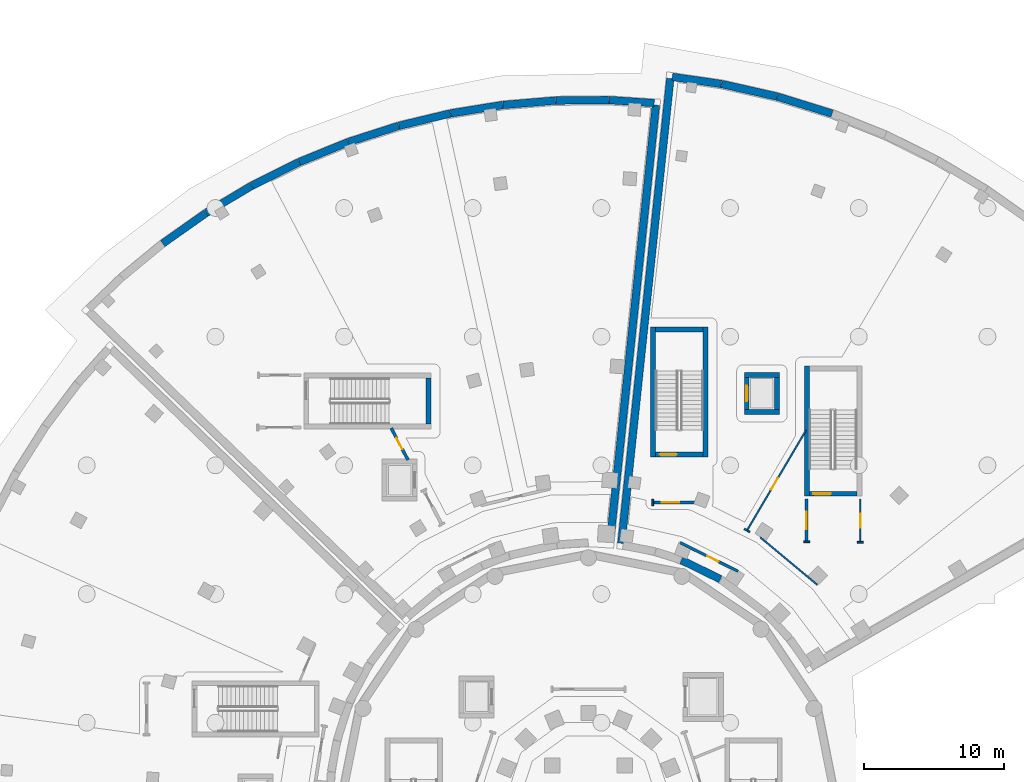
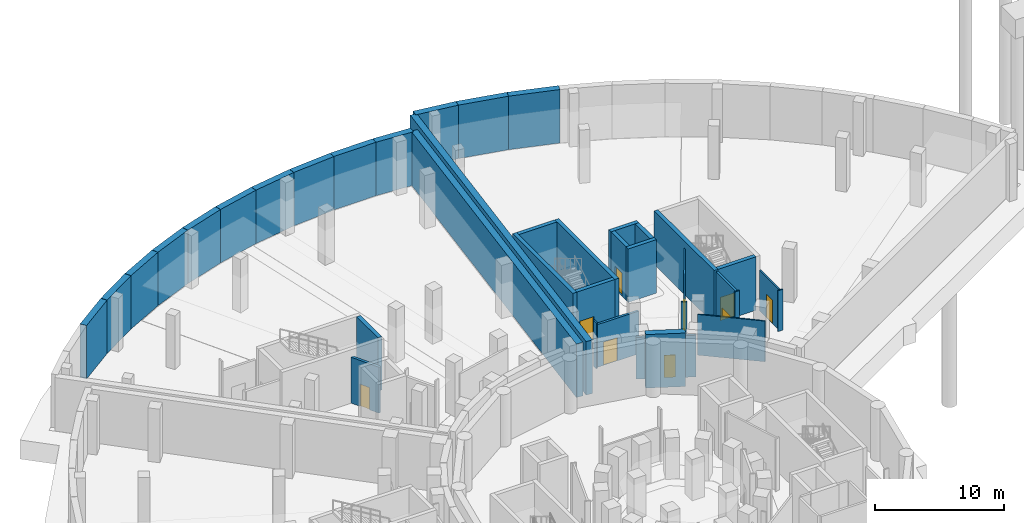
# One storey, part 14 of 33: 38 walls, 9 doors, 9 openings.
"""IFC4 building model written with IfcOpenShell, lengths in metres."""

from ifc_helpers import new_model, si_unit, direction, frame, frame_2d, origin, place, context, subcontext, project, spatial, rectangle, extrude, material, layer, layer_set, type_object, element, fill, save


model = new_model("IFC4")

# Units and contexts
model_context = context("Model", 3, precision=1e-05, world=origin(), true_north=direction((0.0, 1.0)))
body_context = subcontext(model_context, "Body", "Model", "MODEL_VIEW")
ifc_project = project(units=[si_unit("LENGTHUNIT", "METRE"), si_unit("AREAUNIT", "SQUARE_METRE"), si_unit("VOLUMEUNIT", "CUBIC_METRE"), si_unit("PLANEANGLEUNIT", "RADIAN"), si_unit("MASSUNIT", "GRAM", prefix="KILO")], contexts=[model_context])

# Site, building, storey
site_placement = place(None, origin())
site = spatial("IfcSite", under=ifc_project, at=site_placement, CompositionType="ELEMENT")
building_placement = place(site_placement, origin())
building = spatial("IfcBuilding", under=site, at=building_placement, Name="Soyqirgoq Riverine Aquarium", CompositionType="ELEMENT")
storey_placement = place(building_placement, frame((0.0, 0.0, -5.39990234375)))
storey = spatial("IfcBuildingStorey", under=building, at=storey_placement, Name="B01", CompositionType="ELEMENT", Elevation=-5.39990234375)

# Walls
ifc_material_1 = material(Name="Concrete C40/50", Category="concrete")
ifc_layer_1 = layer(ifc_material_1, 0.35009765625)
ifc_layer_set_1 = layer_set([ifc_layer_1], Name="Concrete C40/50")
wall_type_1 = type_object("IfcWallType", Name="CoreShearWall_350_C40", PredefinedType="SHEAR", material=ifc_layer_set_1)
wall_1_placement = place(storey_placement, frame((44.574951171875, 84.0, 0.0), z_axis=(0.0, 0.0, 1.0), x_axis=(0.0, 1.0, 0.0)))
element("IfcWall", 1, at=wall_1_placement, inside=storey, type_object=wall_type_1, Name="CORE-4 B01 Stair Core Shear Wall BACK", PredefinedType="SHEAR", context=body_context, shape_type="SweptSolid", body=[
    extrude(rectangle(XDim=3.300048828125, YDim=0.35009765625, at=frame_2d((1.64990234375, 0.0))), origin(), (0.0, 0.0, 1.0), 5.0498046875),
])
wall_2_placement = place(storey_placement, frame((64.375, 81.64990234375, 0.0), z_axis=(0.0, 0.0, 1.0), x_axis=(0.0, 1.0, 0.0)))
element("IfcWall", 2, at=wall_2_placement, inside=storey, type_object=wall_type_1, Name="CORE-5A B01 Stair Core Shear Wall SIDE1", PredefinedType="SHEAR", context=body_context, shape_type="SweptSolid", body=[
    extrude(rectangle(XDim=9.300048828125, YDim=0.35009765625, at=frame_2d((4.64990234375, 0.0))), origin(), (0.0, 0.0, 1.0), 5.0498046875),
])
wall_3_placement = place(storey_placement, frame((64.199951171875, 90.77490234375, 0.0), z_axis=(0.0, 0.0, 1.0), x_axis=(-1.0, 0.0, 0.0)))
element("IfcWall", 3, at=wall_3_placement, inside=storey, type_object=wall_type_1, Name="CORE-5A B01 Stair Core Shear Wall BACK", PredefinedType="SHEAR", context=body_context, shape_type="SweptSolid", body=[
    extrude(rectangle(XDim=3.39990234375, YDim=0.35009765625, at=frame_2d((1.699951171875, 0.0))), origin(), (0.0, 0.0, 1.0), 5.0498046875),
])
wall_4_placement = place(storey_placement, frame((60.625, 90.949951171875, 0.0), z_axis=(0.0, 0.0, 1.0), x_axis=(0.0, -1.0, 0.0)))
element("IfcWall", 4, at=wall_4_placement, inside=storey, type_object=wall_type_1, Name="CORE-5A B01 Stair Core Shear Wall SIDE2", PredefinedType="SHEAR", context=body_context, shape_type="SweptSolid", body=[
    extrude(rectangle(XDim=9.300048828125, YDim=0.35009765625, at=frame_2d((4.64990234375, 0.0))), origin(), (0.0, 0.0, 1.0), 5.0498046875),
])

# Wall, opening, door
wall_5_placement = place(storey_placement, frame((60.800048828125, 81.824951171875, 0.0), z_axis=(0.0, 0.0, 1.0), x_axis=(1.0, 0.0, 0.0)))
wall_5 = element("IfcWall", 5, at=wall_5_placement, inside=storey, type_object=wall_type_1, Name="CORE-5A B01 Stair Core Shear Wall FRONT", PredefinedType="SHEAR", context=body_context, shape_type="SweptSolid", body=[
    extrude(rectangle(XDim=3.39990234375, YDim=0.35009765625, at=frame_2d((1.699951171875, 0.0))), origin(), (0.0, 0.0, 1.0), 5.0498046875),
])
opening_1_placement = place(wall_5_placement, frame((0.280029296875, 0.0, 0.0)))
opening_1 = element("IfcOpeningElement", 6, at=opening_1_placement, cuts=wall_5, Name="Opening FD-01", PredefinedType="OPENING", context=body_context, shape_type="SweptSolid", body=[
    extrude(rectangle(XDim=1.25, YDim=2.199951171875, at=frame_2d((0.625, 1.10009765625))), frame((0.0, 0.18505859375, 0.0), z_axis=(0.0, -1.0, 0.0), x_axis=(1.0, 0.0, 0.0)), (0.0, 0.0, 1.0), 0.3701171875),
])
ifc_material_2 = material(Name="Galvanised steel fire-resisting stair door", Category="steel")
door_type_1 = type_object("IfcDoorType", Name="StairFireDoor_1250x2200_EI90", OperationType="NOTDEFINED", PredefinedType="DOOR", material=ifc_material_2)
door_1_placement = place(opening_1_placement, origin())
door_1 = element("IfcDoor", 7, at=door_1_placement, inside=storey, type_object=door_type_1, Name="DR-ST-5-B01 ST-5 B01 Fire-Rated Stairwell Door", OperationType="SINGLE_SWING_LEFT", OverallHeight=2.199951171875, OverallWidth=1.25, PredefinedType="DOOR", context=body_context, shape_type="SweptSolid", body=[
    extrude(rectangle(XDim=1.25, YDim=2.199951171875, at=frame_2d((0.625, 1.10009765625))), frame((0.0, 0.02490234375, 0.0), z_axis=(0.0, -1.0, 0.0), x_axis=(1.0, 0.0, 0.0)), (0.0, 0.0, 1.0), 0.050048828125),
])
fill(opening_1, door_1)

# Walls
wall_6_placement = place(storey_placement, frame((67.14501953125, 84.8701171875, 0.0), z_axis=(0.0, 0.0, 1.0), x_axis=(1.0, 0.0, 0.0)))
element("IfcWall", 8, at=wall_6_placement, inside=storey, type_object=wall_type_1, Name="Lift PL-5 Shaft Wall B01 1", PredefinedType="SHEAR", context=body_context, shape_type="SweptSolid", body=[
    extrude(rectangle(XDim=2.510009765625, YDim=0.35009765625, at=frame_2d((1.2548828125, 0.0))), origin(), (0.0, 0.0, 1.0), 5.0498046875),
])
wall_7_placement = place(storey_placement, frame((69.47998046875, 85.044921875, 0.0), z_axis=(0.0, 0.0, 1.0), x_axis=(0.0, 1.0, 0.0)))
element("IfcWall", 9, at=wall_7_placement, inside=storey, type_object=wall_type_1, Name="Lift PL-5 Shaft Wall B01 2", PredefinedType="SHEAR", context=body_context, shape_type="SweptSolid", body=[
    extrude(rectangle(XDim=2.31005859375, YDim=0.35009765625, at=frame_2d((1.155029296875, 0.0))), origin(), (0.0, 0.0, 1.0), 5.0498046875),
])
wall_8_placement = place(storey_placement, frame((69.655029296875, 87.530029296875, 0.0), z_axis=(0.0, 0.0, 1.0), x_axis=(-1.0, 0.0, 0.0)))
element("IfcWall", 10, at=wall_8_placement, inside=storey, type_object=wall_type_1, Name="Lift PL-5 Shaft Wall B01 3", PredefinedType="SHEAR", context=body_context, shape_type="SweptSolid", body=[
    extrude(rectangle(XDim=2.510009765625, YDim=0.35009765625, at=frame_2d((1.2548828125, 0.0))), origin(), (0.0, 0.0, 1.0), 5.0498046875),
])

# Wall, opening, door
wall_9_placement = place(storey_placement, frame((67.320068359375, 87.35498046875, 0.0), z_axis=(0.0, 0.0, 1.0), x_axis=(0.0, -1.0, 0.0)))
wall_9 = element("IfcWall", 11, at=wall_9_placement, inside=storey, type_object=wall_type_1, Name="Lift PL-5 Shaft Wall B01 4", PredefinedType="SHEAR", context=body_context, shape_type="SweptSolid", body=[
    extrude(rectangle(XDim=2.31005859375, YDim=0.35009765625, at=frame_2d((1.155029296875, 0.0))), origin(), (0.0, 0.0, 1.0), 5.0498046875),
])
opening_2_placement = place(wall_9_placement, frame((0.60498046875, 0.0, 0.0)))
opening_2 = element("IfcOpeningElement", 12, at=opening_2_placement, cuts=wall_9, Name="Opening LD-01", PredefinedType="OPENING", context=body_context, shape_type="SweptSolid", body=[
    extrude(rectangle(XDim=1.10009765625, YDim=2.199951171875, at=frame_2d((0.550048828125, 1.10009765625))), frame((0.0, 0.18505859375, 0.0), z_axis=(0.0, -1.0, 0.0), x_axis=(1.0, 0.0, 0.0)), (0.0, 0.0, 1.0), 0.3701171875),
])
ifc_material_3 = material(Name="Brushed stainless steel telescopic lift landing door", Category="steel")
door_type_2 = type_object("IfcDoorType", Name="LiftLandingDoor_1100x2200", OperationType="SLIDING_TO_LEFT", PredefinedType="DOOR", material=ifc_material_3)
door_2_placement = place(opening_2_placement, origin())
door_2 = element("IfcDoor", 13, at=door_2_placement, inside=storey, type_object=door_type_2, Name="LD-PL-5-B01 Lift PL-5 B01 Sliding Landing Door", OperationType="SLIDING_TO_LEFT", OverallHeight=2.199951171875, OverallWidth=1.10009765625, PredefinedType="DOOR", context=body_context, shape_type="SweptSolid", body=[
    extrude(rectangle(XDim=1.10009765625, YDim=2.199951171875, at=frame_2d((0.550048828125, 1.10009765625))), frame((0.0, 0.02490234375, 0.0), z_axis=(0.0, -1.0, 0.0), x_axis=(1.0, 0.0, 0.0)), (0.0, 0.0, 1.0), 0.050048828125),
])
fill(opening_2, door_2)

# Wall
wall_10_placement = place(storey_placement, frame((71.625, 88.14990234375, 0.0), z_axis=(0.0, 0.0, 1.0), x_axis=(0.0, -1.0, 0.0)))
element("IfcWall", 14, at=wall_10_placement, inside=storey, type_object=wall_type_1, Name="CORE-5B B01 Stair Core Shear Wall SIDE2", PredefinedType="SHEAR", context=body_context, shape_type="SweptSolid", body=[
    extrude(rectangle(XDim=9.2998046875, YDim=0.35009765625, at=frame_2d((4.64990234375, 0.0))), origin(), (0.0, 0.0, 1.0), 5.0498046875),
])

# Wall, opening, door
wall_11_placement = place(storey_placement, frame((71.800048828125, 79.02490234375, 0.0), z_axis=(0.0, 0.0, 1.0), x_axis=(1.0, 0.0, 0.0)))
wall_11 = element("IfcWall", 15, at=wall_11_placement, inside=storey, type_object=wall_type_1, Name="CORE-5B B01 Stair Core Shear Wall FRONT", PredefinedType="SHEAR", context=body_context, shape_type="SweptSolid", body=[
    extrude(rectangle(XDim=3.39990234375, YDim=0.35009765625, at=frame_2d((1.699951171875, 0.0))), origin(), (0.0, 0.0, 1.0), 5.0498046875),
])
opening_3_placement = place(wall_11_placement, frame((0.280029296875, 0.0, 0.0)))
opening_3 = element("IfcOpeningElement", 16, at=opening_3_placement, cuts=wall_11, Name="Opening FD-01", PredefinedType="OPENING", context=body_context, shape_type="SweptSolid", body=[
    extrude(rectangle(XDim=1.25, YDim=2.199951171875, at=frame_2d((0.625, 1.10009765625))), frame((0.0, 0.18505859375, 0.0), z_axis=(0.0, -1.0, 0.0), x_axis=(1.0, 0.0, 0.0)), (0.0, 0.0, 1.0), 0.3701171875),
])
door_3_placement = place(opening_3_placement, origin())
door_3 = element("IfcDoor", 17, at=door_3_placement, inside=storey, type_object=door_type_1, Name="DR-ST-6-B01 ST-6 B01 Fire-Rated Stairwell Door", OperationType="SINGLE_SWING_LEFT", OverallHeight=2.199951171875, OverallWidth=1.25, PredefinedType="DOOR", context=body_context, shape_type="SweptSolid", body=[
    extrude(rectangle(XDim=1.25, YDim=2.199951171875, at=frame_2d((0.625, 1.10009765625))), frame((0.0, 0.02490234375, 0.0), z_axis=(0.0, -1.0, 0.0), x_axis=(1.0, 0.0, 0.0)), (0.0, 0.0, 1.0), 0.050048828125),
])
fill(opening_3, door_3)

# Wall
ifc_material_4 = material(Name="Lightweight steel-stud gypsum partition", Category="steel")
ifc_layer_2 = layer(ifc_material_4, 0.1201171875)
ifc_layer_set_2 = layer_set([ifc_layer_2], Name="Lightweight steel-stud gypsum partition")
wall_type_2 = type_object("IfcWallType", Name="PartitionWall_120_Std", PredefinedType="PARTITIONING", material=ifc_layer_set_2)
wall_12_placement = place(storey_placement, frame((72.357177734375, 72.5224609375, 0.0), z_axis=(0.0, 0.0, 1.0), x_axis=(-0.768847565949, 0.639432107682, 0.0)))
element("IfcWall", 18, at=wall_12_placement, inside=storey, type_object=wall_type_2, Name="V5 Gallery Circulation Corridor Partition Wall", PredefinedType="PARTITIONING", context=body_context, shape_type="SweptSolid", body=[
    extrude(rectangle(XDim=5.301025390625, YDim=0.1201171875, at=frame_2d((2.650390625, 0.0))), origin(), (0.0, 0.0, 1.0), 3.83984375),
])

# Wall, opening, door
wall_13_placement = place(storey_placement, frame((67.34033203125, 76.40966796875, 0.0), z_axis=(0.0, 0.0, 1.0), x_axis=(0.507554651223, 0.861619565714, 0.0)))
wall_13 = element("IfcWall", 19, at=wall_13_placement, inside=storey, type_object=wall_type_2, Name="Backup Power Control Room Partition Wall", PredefinedType="PARTITIONING", context=body_context, shape_type="SweptSolid", body=[
    extrude(rectangle(XDim=8.322021484375, YDim=0.1201171875, at=frame_2d((4.1611328125, 0.0))), origin(), (0.0, 0.0, 1.0), 4.389892578125),
])
opening_4_placement = place(wall_13_placement, frame((3.376708984375, 0.0, 0.0)))
opening_4 = element("IfcOpeningElement", 20, at=opening_4_placement, cuts=wall_13, Name="Opening ID-06", PredefinedType="OPENING", context=body_context, shape_type="SweptSolid", body=[
    extrude(rectangle(XDim=0.949951171875, YDim=2.199951171875, at=frame_2d((0.47509765625, 1.10009765625))), frame((0.0, 0.070068359375, 0.0), z_axis=(0.0, -1.0, 0.0), x_axis=(1.0, 0.0, 0.0)), (0.0, 0.0, 1.0), 0.14013671875),
])
ifc_material_5 = material(Name="Moisture-resistant HPL washroom door", Category="wood")
door_type_3 = type_object("IfcDoorType", Name="WCDoor_950x2200", OperationType="NOTDEFINED", PredefinedType="DOOR", material=ifc_material_5)
door_4_placement = place(opening_4_placement, origin())
door_4 = element("IfcDoor", 21, at=door_4_placement, inside=storey, type_object=door_type_3, Name="IDR-V5-B01-0139 Backup Power Control Room Access Door", OperationType="SINGLE_SWING_RIGHT", OverallHeight=2.199951171875, OverallWidth=0.949951171875, PredefinedType="DOOR", context=body_context, shape_type="SweptSolid", body=[
    extrude(rectangle(XDim=0.949951171875, YDim=2.199951171875, at=frame_2d((0.47509765625, 1.10009765625))), frame((0.0, 0.02490234375, 0.0), z_axis=(0.0, -1.0, 0.0), x_axis=(1.0, 0.0, 0.0)), (0.0, 0.0, 1.0), 0.050048828125),
])
fill(opening_4, door_4)

wall_14_placement = place(storey_placement, frame((75.43994140625, 78.64990234375, 0.0), z_axis=(0.0, 0.0, 1.0), x_axis=(0.0, -1.0, 0.0)))
wall_14 = element("IfcWall", 22, at=wall_14_placement, inside=storey, type_object=wall_type_2, Name="Cryogenic Specimen Vault Partition Wall", PredefinedType="PARTITIONING", context=body_context, shape_type="SweptSolid", body=[
    extrude(rectangle(XDim=3.08984375, YDim=0.1201171875, at=frame_2d((1.544921875, 0.0))), origin(), (0.0, 0.0, 1.0), 3.83984375),
])
opening_5_placement = place(wall_14_placement, frame((1.044921875, 0.0, 0.0)))
opening_5 = element("IfcOpeningElement", 23, at=opening_5_placement, cuts=wall_14, Name="Opening ID-03", PredefinedType="OPENING", context=body_context, shape_type="SweptSolid", body=[
    extrude(rectangle(XDim=1.0, YDim=2.199951171875, at=frame_2d((0.5, 1.10009765625))), frame((0.0, 0.070068359375, 0.0), z_axis=(0.0, -1.0, 0.0), x_axis=(1.0, 0.0, 0.0)), (0.0, 0.0, 1.0), 0.14013671875),
])
ifc_material_6 = material(Name="Solid-core ash veneer room door", Category="wood")
door_type_4 = type_object("IfcDoorType", Name="RoomDoor_1000x2200", OperationType="NOTDEFINED", PredefinedType="DOOR", material=ifc_material_6)
door_5_placement = place(opening_5_placement, origin())
door_5 = element("IfcDoor", 24, at=door_5_placement, inside=storey, type_object=door_type_4, Name="IDR-V5-B01-0138 Cryogenic Specimen Vault Door", OperationType="SINGLE_SWING_LEFT", OverallHeight=2.199951171875, OverallWidth=1.0, PredefinedType="DOOR", context=body_context, shape_type="SweptSolid", body=[
    extrude(rectangle(XDim=1.0, YDim=2.199951171875, at=frame_2d((0.5, 1.10009765625))), frame((0.0, 0.02490234375, 0.0), z_axis=(0.0, -1.0, 0.0), x_axis=(1.0, 0.0, 0.0)), (0.0, 0.0, 1.0), 0.050048828125),
])
fill(opening_5, door_5)

# Walls
wall_15_placement = place(storey_placement, frame((60.60009765625, 78.179931640625, 0.0), z_axis=(0.0, 0.0, 1.0), x_axis=(0.0, 1.0, 0.0)))
element("IfcWall", 25, at=wall_15_placement, inside=storey, type_object=wall_type_2, Name="V5 B01 Jamb Return Pier", PredefinedType="PARTITIONING", context=body_context, shape_type="SweptSolid", body=[
    extrude(rectangle(XDim=0.440185546875, YDim=0.1201171875, at=frame_2d((0.22021484375, 0.0))), origin(), (0.0, 0.0, 1.0), 4.33984375),
])
for number, where, z_axis, x_axis, name in (
    (26, (71.3798828125, 75.60009765625, 0.0), (0.0, 0.0, 1.0), (1.0, 0.0, 0.0), "V5 B01 Jamb Return Pier"),
    (27, (67.52978515625, 76.298095703125, 0.0), (0.0, 0.0, 1.0), (-0.861577457919, 0.507626126205, 0.0), "V5 B01 Jamb Return Pier"),
):
    element("IfcWall", number, at=place(storey_placement, frame(where, z_axis=z_axis, x_axis=x_axis)), inside=storey, type_object=wall_type_2, Name=name, PredefinedType="PARTITIONING", context=body_context, shape_type="SweptSolid", body=[
        extrude(rectangle(XDim=0.440185546875, YDim=0.1201171875, at=frame_2d((0.22021484375, 0.0))), origin(), (0.0, 0.0, 1.0), 5.0498046875),
    ])
wall_16_placement = place(storey_placement, frame((75.219970703125, 75.56005859375, 0.0), z_axis=(0.0, 0.0, 1.0), x_axis=(1.0, 0.0, 0.0)))
element("IfcWall", 28, at=wall_16_placement, inside=storey, type_object=wall_type_2, Name="V5 B01 Jamb Return Pier", PredefinedType="PARTITIONING", context=body_context, shape_type="SweptSolid", body=[
    extrude(rectangle(XDim=0.43994140625, YDim=0.1201171875, at=frame_2d((0.219970703125, 0.0))), origin(), (0.0, 0.0, 1.0), 3.83984375),
])

# Wall, opening, door
ifc_material_7 = material(Name="Fire-rated calcium silicate twin-stud partition", Category="gypsum")
ifc_layer_3 = layer(ifc_material_7, 0.199951171875)
ifc_layer_set_3 = layer_set([ifc_layer_3], Name="Fire-rated calcium silicate twin-stud partition")
wall_type_3 = type_object("IfcWallType", Name="PartitionWall_200_EI90", PredefinedType="PARTITIONING", material=ifc_layer_set_3)
wall_17_placement = place(storey_placement, frame((60.60009765625, 78.39990234375, 0.0), z_axis=(0.0, 0.0, 1.0), x_axis=(1.0, 0.0, 0.0)))
wall_17 = element("IfcWall", 29, at=wall_17_placement, inside=storey, type_object=wall_type_3, Name="Lift and Stair Lobby ST-5 Fire Enclosure Wall", PredefinedType="PARTITIONING", context=body_context, shape_type="SweptSolid", body=[
    extrude(rectangle(XDim=3.7998046875, YDim=0.199951171875, at=frame_2d((1.89990234375, 0.0))), origin(), (0.0, 0.0, 1.0), 4.039794921875),
])
opening_6_placement = place(wall_17_placement, frame((0.637451171875, 0.0, 0.0)))
opening_6 = element("IfcOpeningElement", 30, at=opening_6_placement, cuts=wall_17, Name="Opening FD-01", PredefinedType="OPENING", context=body_context, shape_type="SweptSolid", body=[
    extrude(rectangle(XDim=1.25, YDim=2.199951171875, at=frame_2d((0.625, 1.10009765625))), frame((0.0, 0.10986328125, 0.0), z_axis=(0.0, -1.0, 0.0), x_axis=(1.0, 0.0, 0.0)), (0.0, 0.0, 1.0), 0.219970703125),
])
door_6_placement = place(opening_6_placement, origin())
door_6 = element("IfcDoor", 31, at=door_6_placement, inside=storey, type_object=door_type_1, Name="IDR-V5-B01-0135 Lift and Stair Lobby ST-5 Egress Fire Door", OperationType="SINGLE_SWING_LEFT", OverallHeight=2.199951171875, OverallWidth=1.25, PredefinedType="DOOR", context=body_context, shape_type="SweptSolid", body=[
    extrude(rectangle(XDim=1.25, YDim=2.199951171875, at=frame_2d((0.625, 1.10009765625))), frame((0.0, 0.02490234375, 0.0), z_axis=(0.0, -1.0, 0.0), x_axis=(1.0, 0.0, 0.0)), (0.0, 0.0, 1.0), 0.050048828125),
])
fill(opening_6, door_6)

wall_18_placement = place(storey_placement, frame((71.60009765625, 78.64990234375, 0.0), z_axis=(0.0, 0.0, 1.0), x_axis=(0.0, -1.0, 0.0)))
wall_18 = element("IfcWall", 32, at=wall_18_placement, inside=storey, type_object=wall_type_3, Name="Lift and Stair Lobby ST-6 Fire Enclosure Wall", PredefinedType="PARTITIONING", context=body_context, shape_type="SweptSolid", body=[
    extrude(rectangle(XDim=3.0498046875, YDim=0.199951171875, at=frame_2d((1.52490234375, 0.0))), origin(), (0.0, 0.0, 1.0), 5.0498046875),
])
opening_7_placement = place(wall_18_placement, frame((0.89990234375, 0.0, 0.0)))
opening_7 = element("IfcOpeningElement", 33, at=opening_7_placement, cuts=wall_18, Name="Opening FD-01", PredefinedType="OPENING", context=body_context, shape_type="SweptSolid", body=[
    extrude(rectangle(XDim=1.25, YDim=2.199951171875, at=frame_2d((0.625, 1.10009765625))), frame((0.0, 0.10986328125, 0.0), z_axis=(0.0, -1.0, 0.0), x_axis=(1.0, 0.0, 0.0)), (0.0, 0.0, 1.0), 0.219970703125),
])
door_7_placement = place(opening_7_placement, origin())
door_7 = element("IfcDoor", 34, at=door_7_placement, inside=storey, type_object=door_type_1, Name="IDR-V5-B01-0136 Lift and Stair Lobby ST-6 Egress Fire Door", OperationType="SINGLE_SWING_LEFT", OverallHeight=2.199951171875, OverallWidth=1.25, PredefinedType="DOOR", context=body_context, shape_type="SweptSolid", body=[
    extrude(rectangle(XDim=1.25, YDim=2.199951171875, at=frame_2d((0.625, 1.10009765625))), frame((0.0, 0.02490234375, 0.0), z_axis=(0.0, -1.0, 0.0), x_axis=(1.0, 0.0, 0.0)), (0.0, 0.0, 1.0), 0.050048828125),
])
fill(opening_7, door_7)

wall_19_placement = place(storey_placement, frame((62.559326171875, 75.52294921875, 0.0), z_axis=(0.0, 0.0, 1.0), x_axis=(0.896876614616, -0.442280836296, 0.0)))
wall_19 = element("IfcWall", 35, at=wall_19_placement, inside=storey, type_object=wall_type_3, Name="V5 Gallery Circulation Corridor Partition Wall", PredefinedType="PARTITIONING", context=body_context, shape_type="SweptSolid", body=[
    extrude(rectangle(XDim=4.619140625, YDim=0.199951171875, at=frame_2d((2.3095703125, 0.0))), origin(), (0.0, 0.0, 1.0), 3.93994140625),
])
opening_8_placement = place(wall_19_placement, frame((2.1572265625, 0.0, 0.0)))
opening_8 = element("IfcOpeningElement", 36, at=opening_8_placement, cuts=wall_19, Name="Opening RD-01", PredefinedType="OPENING", context=body_context, shape_type="SweptSolid", body=[
    extrude(rectangle(XDim=0.89990234375, YDim=2.10009765625, at=frame_2d((0.449951171875, 1.050048828125))), frame((0.0, 0.10986328125, 0.0), z_axis=(0.0, -1.0, 0.0), x_axis=(1.0, 0.0, 0.0)), (0.0, 0.0, 1.0), 0.219970703125),
])
ifc_material_8 = material(Name="Flush steel service riser fire door", Category="steel")
door_type_5 = type_object("IfcDoorType", Name="RiserAccessDoor_900x2100_EI60", OperationType="NOTDEFINED", PredefinedType="DOOR", material=ifc_material_8)
door_8_placement = place(opening_8_placement, origin())
door_8 = element("IfcDoor", 37, at=door_8_placement, inside=storey, type_object=door_type_5, Name="IDR-V5-B01-0137 Pelagic Chiller Plant Door", OperationType="SINGLE_SWING_RIGHT", OverallHeight=2.10009765625, OverallWidth=0.89990234375, PredefinedType="DOOR", context=body_context, shape_type="SweptSolid", body=[
    extrude(rectangle(XDim=0.89990234375, YDim=2.10009765625, at=frame_2d((0.449951171875, 1.050048828125))), frame((0.0, 0.02490234375, 0.0), z_axis=(0.0, -1.0, 0.0), x_axis=(1.0, 0.0, 0.0)), (0.0, 0.0, 1.0), 0.050048828125),
])
fill(opening_8, door_8)

# Walls
ifc_material_9 = material(Name="Concrete C35/45", Category="concrete")
ifc_layer_4 = layer(ifc_material_9, 0.550048828125)
ifc_layer_set_4 = layer_set([ifc_layer_4], Name="Concrete C35/45")
wall_type_4 = type_object("IfcWallType", Name="RetainingWall_550_C35", PredefinedType="USERDEFINED", material=ifc_layer_set_4)
for number, where, z_axis, x_axis, name in (
    (38, (25.564697265625, 96.9208984375, 0.0), (0.0, 0.0, 1.0), (0.817465823658, 0.575977106447, 0.0), "V4 B01 Perimeter Retaining Wall 064"),
    (39, (28.668212890625, 99.1064453125, 0.0), (0.0, 0.0, 1.0), (0.85866621819, 0.512535194634, 0.0), "V4 B01 Perimeter Retaining Wall 065"),
    (40, (31.927734375, 101.05126953125, 0.0), (0.0, 0.0, 1.0), (0.894943975859, 0.446178529372, 0.0), "V4 B01 Perimeter Retaining Wall 066"),
    (41, (35.3251953125, 102.744140625, 0.0), (0.0, 0.0, 1.0), (0.926084826821, 0.377315376749, 0.0), "V4 B01 Perimeter Retaining Wall 067"),
    (42, (38.840576171875, 104.175537109375, 0.0), (0.0, 0.0, 1.0), (0.951936329622, 0.306295975072, 0.0), "V4 B01 Perimeter Retaining Wall 068"),
    (43, (42.4541015625, 105.33740234375, 0.0), (0.0, 0.0, 1.0), (0.972378495404, 0.233409643493, 0.0), "V4 B01 Perimeter Retaining Wall 069"),
):
    element("IfcWall", number, at=place(storey_placement, frame(where, z_axis=z_axis, x_axis=x_axis)), inside=storey, type_object=wall_type_4, Name=name, ObjectType="RETAININGWALL", PredefinedType="USERDEFINED", context=body_context, shape_type="SweptSolid", body=[
        extrude(rectangle(XDim=3.77490234375, YDim=0.550048828125, at=frame_2d((1.887451171875, 0.0))), origin(), (0.0, 0.0, 1.0), 5.0498046875),
    ])
wall_20_placement = place(storey_placement, frame((46.145263671875, 106.22265625, 0.0), z_axis=(0.0, 0.0, 1.0), x_axis=(0.987230295196, 0.159299542523, 0.0)))
element("IfcWall", 44, at=wall_20_placement, inside=storey, type_object=wall_type_4, Name="V4 B01 Perimeter Retaining Wall 070", ObjectType="RETAININGWALL", PredefinedType="USERDEFINED", context=body_context, shape_type="SweptSolid", body=[
    extrude(rectangle(XDim=3.774658203125, YDim=0.550048828125, at=frame_2d((1.88720703125, 0.0))), origin(), (0.0, 0.0, 1.0), 5.0498046875),
])
wall_21_placement = place(storey_placement, frame((49.892578125, 106.826416015625, 0.0), z_axis=(0.0, 0.0, 1.0), x_axis=(0.996442863076, 0.084271113818, 0.0)))
element("IfcWall", 45, at=wall_21_placement, inside=storey, type_object=wall_type_4, Name="V4 B01 Perimeter Retaining Wall 071", ObjectType="RETAININGWALL", PredefinedType="USERDEFINED", context=body_context, shape_type="SweptSolid", body=[
    extrude(rectangle(XDim=3.77490234375, YDim=0.550048828125, at=frame_2d((1.887451171875, 0.0))), origin(), (0.0, 0.0, 1.0), 5.0498046875),
])
wall_22_placement = place(storey_placement, frame((53.6748046875, 107.1455078125, 0.0), z_axis=(0.0, 0.0, 1.0), x_axis=(0.999961886277, 0.00873074988, 0.0)))
element("IfcWall", 46, at=wall_22_placement, inside=storey, type_object=wall_type_4, Name="V4 B01 Perimeter Retaining Wall 072", ObjectType="RETAININGWALL", PredefinedType="USERDEFINED", context=body_context, shape_type="SweptSolid", body=[
    extrude(rectangle(XDim=3.775146484375, YDim=0.550048828125, at=frame_2d((1.8876953125, 0.0))), origin(), (0.0, 0.0, 1.0), 5.0498046875),
])
wall_23_placement = place(storey_placement, frame((57.470458984375, 107.177734375, 0.0), z_axis=(0.0, 0.0, 1.0), x_axis=(0.997765427166, -0.066814312483, 0.0)))
element("IfcWall", 47, at=wall_23_placement, inside=storey, type_object=wall_type_4, Name="V4 B01 Perimeter Retaining Wall 073", ObjectType="RETAININGWALL", PredefinedType="USERDEFINED", context=body_context, shape_type="SweptSolid", body=[
    extrude(rectangle(XDim=3.237548828125, YDim=0.550048828125, at=frame_2d((1.61865234375, 0.0))), origin(), (0.0, 0.0, 1.0), 5.0498046875),
])
wall_24_placement = place(storey_placement, frame((60.823486328125, 106.8154296875, 0.0), z_axis=(0.0, 0.0, 1.0), x_axis=(-0.104523755252, -0.994522390189, 0.0)))
element("IfcWall", 48, at=wall_24_placement, inside=storey, type_object=wall_type_4, Name="V4 B01 Perimeter Retaining Wall 074", ObjectType="RETAININGWALL", PredefinedType="USERDEFINED", context=body_context, shape_type="SweptSolid", body=[
    extrude(rectangle(XDim=31.4111328125, YDim=0.550048828125, at=frame_2d((15.70556640625, 0.0))), origin(), (0.0, 0.0, 1.0), 5.0498046875),
])
wall_25_placement = place(storey_placement, frame((65.4384765625, 72.91552734375, 0.0), z_axis=(0.0, 0.0, 1.0), x_axis=(-0.89794207653, 0.440113652591, 0.0)))
element("IfcWall", 49, at=wall_25_placement, inside=storey, type_object=wall_type_4, Name="V5 B01 Perimeter Retaining Wall 082", ObjectType="RETAININGWALL", PredefinedType="USERDEFINED", context=body_context, shape_type="SweptSolid", body=[
    extrude(rectangle(XDim=3.100830078125, YDim=0.550048828125, at=frame_2d((1.55029296875, 0.0))), origin(), (0.0, 0.0, 1.0), 5.0498046875),
])
wall_26_placement = place(storey_placement, frame((58.355224609375, 75.485595703125, 0.0), z_axis=(0.0, 0.0, 1.0), x_axis=(0.104529232087, 0.994521814562, 0.0)))
element("IfcWall", 50, at=wall_26_placement, inside=storey, type_object=wall_type_4, Name="V5 B01 Perimeter Retaining Wall 085", ObjectType="RETAININGWALL", PredefinedType="USERDEFINED", context=body_context, shape_type="SweptSolid", body=[
    extrude(rectangle(XDim=33.415771484375, YDim=0.550048828125, at=frame_2d((16.7080078125, 0.0))), origin(), (0.0, 0.0, 1.0), 5.0498046875),
])
wall_27_placement = place(storey_placement, frame((61.99853515625, 108.835205078125, 0.0), z_axis=(0.0, 0.0, 1.0), x_axis=(0.989647968368, -0.143516196667, 0.0)))
element("IfcWall", 51, at=wall_27_placement, inside=storey, type_object=wall_type_4, Name="V5 B01 Perimeter Retaining Wall 086", ObjectType="RETAININGWALL", PredefinedType="USERDEFINED", context=body_context, shape_type="SweptSolid", body=[
    extrude(rectangle(XDim=3.5400390625, YDim=0.550048828125, at=frame_2d((1.77001953125, 0.0))), origin(), (0.0, 0.0, 1.0), 5.0498046875),
])
for number, where, z_axis, x_axis, name in (
    (52, (65.523193359375, 108.3232421875, 0.0), (0.0, 0.0, 1.0), (0.975350029561, -0.220663363147, 0.0), "V5 B01 Perimeter Retaining Wall 087"),
    (53, (69.5205078125, 107.41796875, 0.0), (0.0, 0.0, 1.0), (0.955024966223, -0.296525401764, 0.0), "V5 B01 Perimeter Retaining Wall 088"),
):
    element("IfcWall", number, at=place(storey_placement, frame(where, z_axis=z_axis, x_axis=x_axis)), inside=storey, type_object=wall_type_4, Name=name, ObjectType="RETAININGWALL", PredefinedType="USERDEFINED", context=body_context, shape_type="SweptSolid", body=[
        extrude(rectangle(XDim=4.0771484375, YDim=0.550048828125, at=frame_2d((2.03857421875, 0.0))), origin(), (0.0, 0.0, 1.0), 5.0498046875),
    ])

# Wall, opening, door
ifc_material_10 = material(Name="Fire-rated masonry shaft wall", Category="masonry")
ifc_layer_5 = layer(ifc_material_10, 0.219970703125)
ifc_layer_set_5 = layer_set([ifc_layer_5], Name="Fire-rated masonry shaft wall")
wall_type_5 = type_object("IfcWallType", Name="RiserShaftWall_220_EI120", PredefinedType="SOLIDWALL", material=ifc_layer_set_5)
wall_28_placement = place(storey_placement, frame((43.098388671875, 81.436279296875, 0.0), z_axis=(0.0, 0.0, 1.0), x_axis=(-0.464297243823, 0.885679439401, 0.0)))
wall_28 = element("IfcWall", 54, at=wall_28_placement, inside=storey, type_object=wall_type_5, Name="Tropical Reef Filtration Plant Partition Wall", PredefinedType="SOLIDWALL", context=body_context, shape_type="SweptSolid", body=[
    extrude(rectangle(XDim=2.5771484375, YDim=0.219970703125, at=frame_2d((1.28857421875, 0.0))), origin(), (0.0, 0.0, 1.0), 4.33984375),
])
opening_9_placement = place(wall_28_placement, frame((0.874267578125, 0.0, 0.0)))
opening_9 = element("IfcOpeningElement", 55, at=opening_9_placement, cuts=wall_28, Name="Opening RD-01", PredefinedType="OPENING", context=body_context, shape_type="SweptSolid", body=[
    extrude(rectangle(XDim=0.89990234375, YDim=2.10009765625, at=frame_2d((0.449951171875, 1.050048828125))), frame((0.0, 0.1201171875, 0.0), z_axis=(0.0, -1.0, 0.0), x_axis=(1.0, 0.0, 0.0)), (0.0, 0.0, 1.0), 0.239990234375),
])
door_9_placement = place(opening_9_placement, origin())
door_9 = element("IfcDoor", 56, at=door_9_placement, inside=storey, type_object=door_type_5, Name="IDR-V4-B01-0108 Coral Culture Wet Laboratory Door", OperationType="SINGLE_SWING_RIGHT", OverallHeight=2.10009765625, OverallWidth=0.89990234375, PredefinedType="DOOR", context=body_context, shape_type="SweptSolid", body=[
    extrude(rectangle(XDim=0.89990234375, YDim=2.10009765625, at=frame_2d((0.449951171875, 1.050048828125))), frame((0.0, 0.02490234375, 0.0), z_axis=(0.0, -1.0, 0.0), x_axis=(1.0, 0.0, 0.0)), (0.0, 0.0, 1.0), 0.050048828125),
])
fill(opening_9, door_9)

save(model, "model.ifc")
